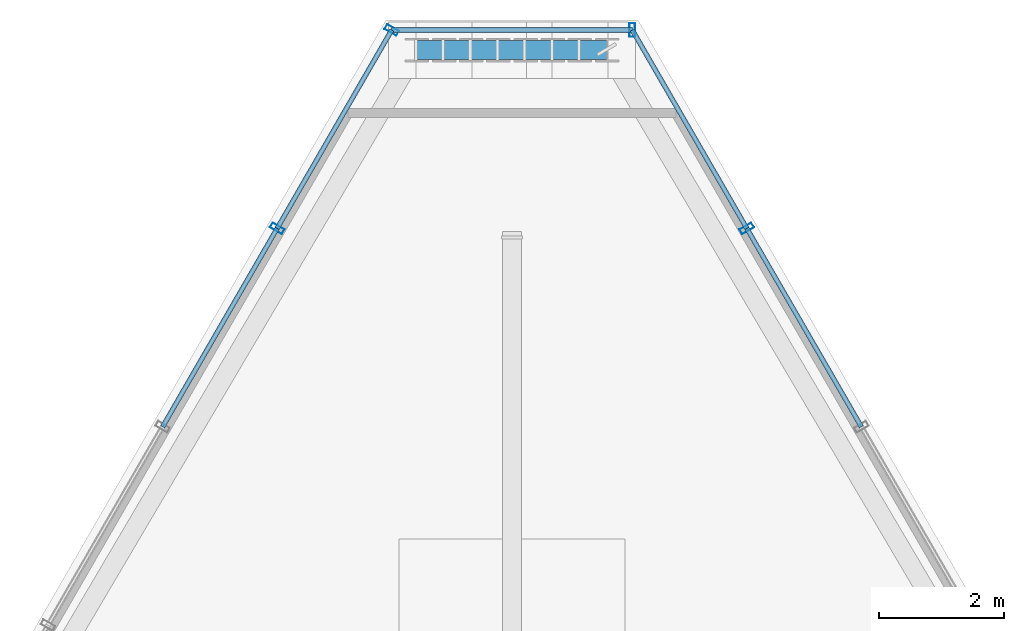
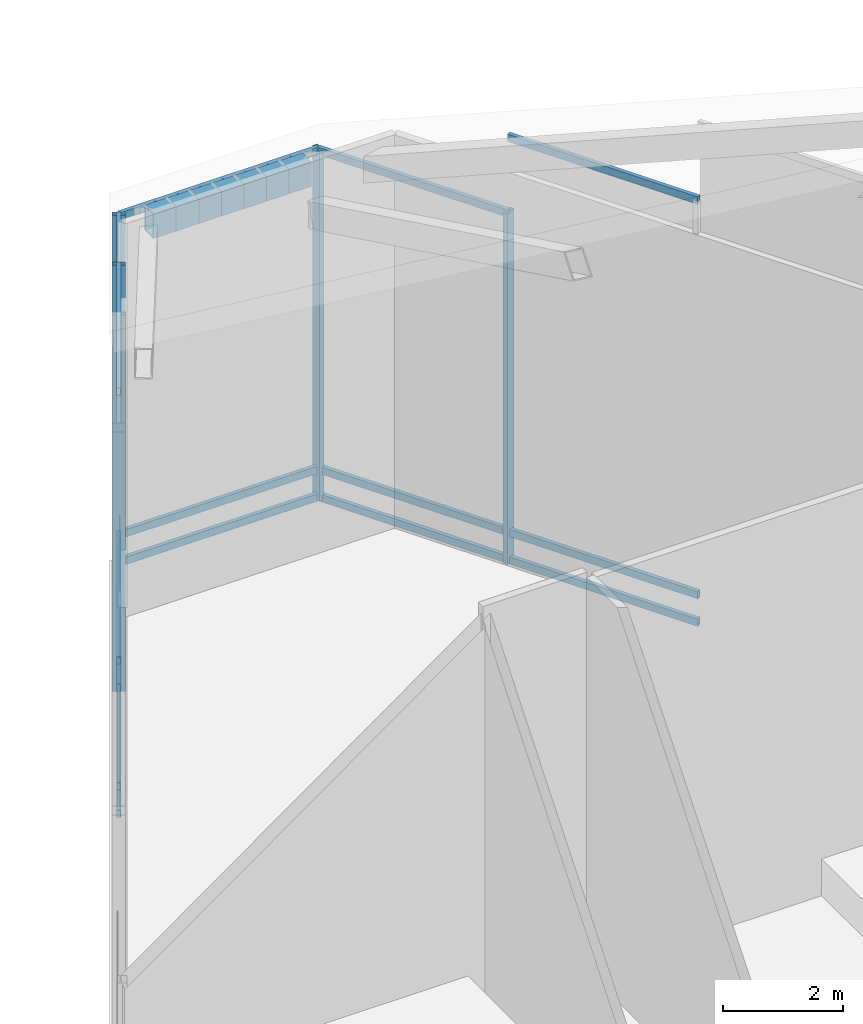
# One storey, part 29 of 36: 26 members, 5 elements without a shape of their own.
"""IFC4 building model written with IfcOpenShell, lengths in metres."""

from ifc_helpers import new_model, si_unit, direction, frame, origin, origin_2d, place, context, subcontext, project, spatial, hollow_rectangle, extrude, material, layer, layer_set, material_profile, profile_set, type_object, element, aggregate, save


model = new_model("IFC4")

# Units and contexts
model_context = context("Model", 3, precision=1e-05, world=origin(), true_north=direction((0.0, 1.0)))
body_context = subcontext(model_context, "Body", "Model", "MODEL_VIEW")
ifc_project = project(units=[si_unit("LENGTHUNIT", "METRE"), si_unit("AREAUNIT", "SQUARE_METRE"), si_unit("VOLUMEUNIT", "CUBIC_METRE"), si_unit("PLANEANGLEUNIT", "RADIAN"), si_unit("MASSUNIT", "GRAM", prefix="KILO")], contexts=[model_context])

# Site, building, storey
site_placement = place(None, origin())
site = spatial("IfcSite", under=ifc_project, at=site_placement, CompositionType="ELEMENT")
building_placement = place(site_placement, origin())
building = spatial("IfcBuilding", under=site, at=building_placement, Name="Ndaravel Arena Tower", CompositionType="ELEMENT")
storey_placement = place(building_placement, frame((0.0, 0.0, 308.10009765625)))
storey = spatial("IfcBuildingStorey", under=building, at=storey_placement, Name="Roof Crown", CompositionType="ELEMENT", Elevation=308.10009765625)

# Members
ifc_material_1 = material(Name="Steel S355", Category="steel")
ifc_material_profile_1 = material_profile(ifc_material_1, hollow_rectangle(XDim=0.300048828125, YDim=0.5, WallThickness=0.02001953125, at=origin_2d()), Name="RHS 500x300x20")
ifc_profile_set_1 = profile_set([ifc_material_profile_1], Name="Steel S355")
member_type_1 = type_object("IfcMemberType", Name="MEM-CRN-RAFTER", PredefinedType="RAFTER", material=ifc_profile_set_1)
for number, where, z_axis, x_axis, name in (
    (1, (43.518310546875, 43.00537109375, 7.00439453125), (-1.0, 0.0, 0.0), (0.0, -1.0, 0.0), "Crown Eaves Ring Member CER-11"),
    (2, (43.08447265625, 43.00537109375, 7.00439453125), (-1.0, 0.0, 0.0), (0.0, -1.0, 0.0), "Crown Eaves Ring Member CER-12"),
    (3, (42.650634765625, 43.00537109375, 7.00439453125), (-1.0, 0.0, 0.0), (0.0, -1.0, 0.0), "Crown Eaves Ring Member CER-13"),
):
    element("IfcMember", number, at=place(storey_placement, frame(where, z_axis=z_axis, x_axis=x_axis)), inside=storey, type_object=member_type_1, Name=name, PredefinedType="RAFTER", context=body_context, shape_type="SweptSolid", body=[
        extrude(hollow_rectangle(XDim=0.300048828125, YDim=0.5, WallThickness=0.02001953125, at=origin_2d()), origin(), (0.0, 0.0, 1.0), 0.433837890625),
    ])
member_1_placement = place(storey_placement, frame((42.216796875, 43.00537109375, 7.00439453125), z_axis=(-1.0, 0.0, 0.0), x_axis=(0.0, -1.0, 0.0)))
element("IfcMember", 4, at=member_1_placement, inside=storey, type_object=member_type_1, Name="Crown Eaves Ring Member CER-14", PredefinedType="RAFTER", context=body_context, shape_type="SweptSolid", body=[
    extrude(hollow_rectangle(XDim=0.300048828125, YDim=0.5, WallThickness=0.02001953125, at=origin_2d()), origin(), (0.0, 0.0, 1.0), 0.43359375),
])
for number, where, z_axis, x_axis, name in (
    (5, (41.783203125, 43.00537109375, 7.00439453125), (-1.0, 0.0, 0.0), (0.0, -1.0, 0.0), "Crown Eaves Ring Member CER-15"),
    (6, (41.349365234375, 43.00537109375, 7.00439453125), (-1.0, 0.0, 0.0), (0.0, -1.0, 0.0), "Crown Eaves Ring Member CER-16"),
    (7, (40.91552734375, 43.00537109375, 7.00439453125), (-1.0, 0.0, 0.0), (0.0, -1.0, 0.0), "Crown Eaves Ring Member CER-17"),
):
    element("IfcMember", number, at=place(storey_placement, frame(where, z_axis=z_axis, x_axis=x_axis)), inside=storey, type_object=member_type_1, Name=name, PredefinedType="RAFTER", context=body_context, shape_type="SweptSolid", body=[
        extrude(hollow_rectangle(XDim=0.300048828125, YDim=0.5, WallThickness=0.02001953125, at=origin_2d()), origin(), (0.0, 0.0, 1.0), 0.433837890625),
    ])

# Curtain wall, member
ifc_material_2 = material(Name="Aluminium", Category="aluminium")
ifc_layer = layer(ifc_material_2, 0.179931640625)
ifc_layer_set = layer_set([ifc_layer], Name="Aluminium")
curtain_wall_type = type_object("IfcCurtainWallType", Name="CW-SYS-06", PredefinedType="NOTDEFINED", material=ifc_layer_set)
curtain_wall_1_placement = place(storey_placement, origin())
curtain_wall_1 = element("IfcCurtainWall", 8, at=curtain_wall_1_placement, inside=storey, type_object=curtain_wall_type, Name="Roof Crown Sloped Crown Lantern Curtain Wall CW-CROWN-E03-S11", PredefinedType="NOTDEFINED")
ifc_material_3 = material(Name="Aluminium", Category="aluminium")
ifc_material_profile_2 = material_profile(ifc_material_3, hollow_rectangle(XDim=0.090087890625, YDim=0.219970703125, WallThickness=0.0048828125, at=origin_2d()), Name="CW MULLION 90x220x5")
ifc_profile_set_2 = profile_set([ifc_material_profile_2], Name="Aluminium")
member_type_2 = type_object("IfcMemberType", Name="MEM-CW-MUL220", PredefinedType="MULLION", material=ifc_profile_set_2)
member_2_placement = place(storey_placement, frame((45.748291015625, 40.158203125, 0.0), z_axis=(0.0, 0.0, 1.0), x_axis=(-0.499984884929, 0.866034130299, 0.0)))
member_2 = element("IfcMember", 9, at=member_2_placement, type_object=member_type_2, Name="CW-CROWN-E03-S11 Mullion 00", PredefinedType="MULLION", context=body_context, shape_type="SweptSolid", body=[
    extrude(hollow_rectangle(XDim=0.090087890625, YDim=0.219970703125, WallThickness=0.0048828125, at=origin_2d()), origin(), (0.0, 0.0, 1.0), 7.118408203125),
])

curtain_wall_2_placement = place(storey_placement, origin())
curtain_wall_2 = element("IfcCurtainWall", 10, at=curtain_wall_2_placement, inside=storey, type_object=curtain_wall_type, Name="Roof Crown Sloped Crown Lantern Curtain Wall CW-CROWN-E04", PredefinedType="NOTDEFINED")
member_3_placement = place(storey_placement, frame((43.919921875, 43.325439453125, 0.0), z_axis=(0.0, 0.0, 1.0), x_axis=(-1.0, 0.0, 0.0)))
member_3 = element("IfcMember", 11, at=member_3_placement, type_object=member_type_2, Name="CW-CROWN-E04 Mullion 00", PredefinedType="MULLION", context=body_context, shape_type="SweptSolid", body=[
    extrude(hollow_rectangle(XDim=0.090087890625, YDim=0.219970703125, WallThickness=0.0048828125, at=origin_2d()), origin(), (0.0, 0.0, 1.0), 7.118408203125),
])

curtain_wall_3_placement = place(storey_placement, origin())
curtain_wall_3 = element("IfcCurtainWall", 12, at=curtain_wall_3_placement, inside=storey, type_object=curtain_wall_type, Name="Roof Crown Sloped Crown Lantern Curtain Wall CW-CROWN-E05-S01", PredefinedType="NOTDEFINED")
member_4_placement = place(storey_placement, frame((40.080078125, 43.325439453125, 0.0), z_axis=(0.0, 0.0, 1.0), x_axis=(-0.499984884929, -0.866034130299, 0.0)))
member_4 = element("IfcMember", 13, at=member_4_placement, type_object=member_type_2, Name="CW-CROWN-E05-S01 Mullion 00", PredefinedType="MULLION", context=body_context, shape_type="SweptSolid", body=[
    extrude(hollow_rectangle(XDim=0.090087890625, YDim=0.219970703125, WallThickness=0.0048828125, at=origin_2d()), origin(), (0.0, 0.0, 1.0), 7.118408203125),
])

curtain_wall_4_placement = place(storey_placement, origin())
curtain_wall_4 = element("IfcCurtainWall", 14, at=curtain_wall_4_placement, inside=storey, type_object=curtain_wall_type, Name="Roof Crown Sloped Crown Lantern Curtain Wall CW-CROWN-E05-S02", PredefinedType="NOTDEFINED")
member_5_placement = place(storey_placement, frame((38.251708984375, 40.158203125, 0.0), z_axis=(0.0, 0.0, 1.0), x_axis=(-0.500015114919, -0.866016677006, 0.0)))
member_5 = element("IfcMember", 15, at=member_5_placement, type_object=member_type_2, Name="CW-CROWN-E05-S02 Mullion 00", PredefinedType="MULLION", context=body_context, shape_type="SweptSolid", body=[
    extrude(hollow_rectangle(XDim=0.090087890625, YDim=0.219970703125, WallThickness=0.0048828125, at=origin_2d()), origin(), (0.0, 0.0, 1.0), 8.663330078125),
])

# Curtain wall, members
curtain_wall_5_placement = place(storey_placement, origin())
curtain_wall_5 = element("IfcCurtainWall", 16, at=curtain_wall_5_placement, inside=storey, type_object=curtain_wall_type, Name="Roof Crown Sloped Crown Lantern Curtain Wall CW-CROWN-E03-S10", PredefinedType="NOTDEFINED")
ifc_material_4 = material(Name="Aluminium", Category="aluminium")
ifc_material_profile_3 = material_profile(ifc_material_4, hollow_rectangle(XDim=0.074951171875, YDim=0.14990234375, WallThickness=0.00390625, at=origin_2d()), Name="CW TRANSOM 75x150x4")
ifc_profile_set_3 = profile_set([ifc_material_profile_3], Name="Aluminium")
member_type_3 = type_object("IfcMemberType", Name="MEM-CW-TRN150", PredefinedType="USERDEFINED", material=ifc_profile_set_3)
member_6_placement = place(storey_placement, frame((47.5771484375, 36.99072265625, 0.039794921875), z_axis=(-0.500022908741, 0.866012177013, 0.0), x_axis=(-0.866012177013, -0.500022908741, 0.0)))
member_6 = element("IfcMember", 17, at=member_6_placement, type_object=member_type_3, Name="CW-CROWN-E03-S10 Transom 01", ObjectType="TRANSOM", PredefinedType="USERDEFINED", context=body_context, shape_type="SweptSolid", body=[
    extrude(hollow_rectangle(XDim=0.074951171875, YDim=0.14990234375, WallThickness=0.00390625, at=origin_2d()), origin(), (0.0, 0.0, 1.0), 3.657470703125),
])
member_7_placement = place(storey_placement, frame((47.5771484375, 36.99072265625, 0.599853515625), z_axis=(-0.500022908741, 0.866012177013, 0.0), x_axis=(-0.866012177013, -0.500022908741, 0.0)))
member_7 = element("IfcMember", 18, at=member_7_placement, type_object=member_type_3, Name="CW-CROWN-E03-S10 Transom 02", ObjectType="TRANSOM", PredefinedType="USERDEFINED", context=body_context, shape_type="SweptSolid", body=[
    extrude(hollow_rectangle(XDim=0.074951171875, YDim=0.14990234375, WallThickness=0.00390625, at=origin_2d()), origin(), (0.0, 0.0, 1.0), 3.657470703125),
])
member_8_placement = place(storey_placement, frame((47.5771484375, 36.99072265625, 8.623291015625), z_axis=(-0.500022908741, 0.866012177013, 0.0), x_axis=(-0.866012177013, -0.500022908741, 0.0)))
member_8 = element("IfcMember", 19, at=member_8_placement, type_object=member_type_3, Name="CW-CROWN-E03-S10 Transom 03", ObjectType="TRANSOM", PredefinedType="USERDEFINED", context=body_context, shape_type="SweptSolid", body=[
    extrude(hollow_rectangle(XDim=0.074951171875, YDim=0.14990234375, WallThickness=0.00390625, at=origin_2d()), origin(), (0.0, 0.0, 1.0), 3.657470703125),
])
aggregate(curtain_wall_5, [member_6, member_7, member_8])

# Member
member_9_placement = place(storey_placement, frame((45.748291015625, 40.158203125, 0.039794921875), z_axis=(-0.499951680908, 0.866053299028, 0.0), x_axis=(-0.866053299028, -0.499951680908, 0.0)))
member_9 = element("IfcMember", 20, at=member_9_placement, type_object=member_type_3, Name="CW-CROWN-E03-S11 Transom 01", ObjectType="TRANSOM", PredefinedType="USERDEFINED", context=body_context, shape_type="SweptSolid", body=[
    extrude(hollow_rectangle(XDim=0.074951171875, YDim=0.14990234375, WallThickness=0.00390625, at=origin_2d()), origin(), (0.0, 0.0, 1.0), 3.656982421875),
])

member_10_placement = place(storey_placement, frame((45.748291015625, 40.158203125, 0.599853515625), z_axis=(-0.499951680908, 0.866053299028, 0.0), x_axis=(-0.866053299028, -0.499951680908, 0.0)))
member_10 = element("IfcMember", 21, at=member_10_placement, type_object=member_type_3, Name="CW-CROWN-E03-S11 Transom 02", ObjectType="TRANSOM", PredefinedType="USERDEFINED", context=body_context, shape_type="SweptSolid", body=[
    extrude(hollow_rectangle(XDim=0.074951171875, YDim=0.14990234375, WallThickness=0.00390625, at=origin_2d()), origin(), (0.0, 0.0, 1.0), 3.656982421875),
])

member_11_placement = place(storey_placement, frame((45.748291015625, 40.158203125, 7.07861328125), z_axis=(-0.499951680908, 0.866053299028, 0.0), x_axis=(-0.866053299028, -0.499951680908, 0.0)))
member_11 = element("IfcMember", 22, at=member_11_placement, type_object=member_type_3, Name="CW-CROWN-E03-S11 Transom 03", ObjectType="TRANSOM", PredefinedType="USERDEFINED", context=body_context, shape_type="SweptSolid", body=[
    extrude(hollow_rectangle(XDim=0.074951171875, YDim=0.14990234375, WallThickness=0.00390625, at=origin_2d()), origin(), (0.0, 0.0, 1.0), 3.656982421875),
])

aggregate(curtain_wall_1, [member_2, member_9, member_10, member_11])

member_12_placement = place(storey_placement, frame((43.919921875, 43.325439453125, 0.039794921875), z_axis=(-1.0, 0.0, 0.0), x_axis=(0.0, -1.0, 0.0)))
member_12 = element("IfcMember", 23, at=member_12_placement, type_object=member_type_3, Name="CW-CROWN-E04 Transom 01", ObjectType="TRANSOM", PredefinedType="USERDEFINED", context=body_context, shape_type="SweptSolid", body=[
    extrude(hollow_rectangle(XDim=0.074951171875, YDim=0.14990234375, WallThickness=0.00390625, at=origin_2d()), origin(), (0.0, 0.0, 1.0), 3.83984375),
])

member_13_placement = place(storey_placement, frame((43.919921875, 43.325439453125, 0.599853515625), z_axis=(-1.0, 0.0, 0.0), x_axis=(0.0, -1.0, 0.0)))
member_13 = element("IfcMember", 24, at=member_13_placement, type_object=member_type_3, Name="CW-CROWN-E04 Transom 02", ObjectType="TRANSOM", PredefinedType="USERDEFINED", context=body_context, shape_type="SweptSolid", body=[
    extrude(hollow_rectangle(XDim=0.074951171875, YDim=0.14990234375, WallThickness=0.00390625, at=origin_2d()), origin(), (0.0, 0.0, 1.0), 3.83984375),
])

member_14_placement = place(storey_placement, frame((43.919921875, 43.325439453125, 7.07861328125), z_axis=(-1.0, 0.0, 0.0), x_axis=(0.0, -1.0, 0.0)))
member_14 = element("IfcMember", 25, at=member_14_placement, type_object=member_type_3, Name="CW-CROWN-E04 Transom 03", ObjectType="TRANSOM", PredefinedType="USERDEFINED", context=body_context, shape_type="SweptSolid", body=[
    extrude(hollow_rectangle(XDim=0.074951171875, YDim=0.14990234375, WallThickness=0.00390625, at=origin_2d()), origin(), (0.0, 0.0, 1.0), 3.83984375),
])

aggregate(curtain_wall_2, [member_3, member_12, member_13, member_14])

member_15_placement = place(storey_placement, frame((40.080078125, 43.325439453125, 0.039794921875), z_axis=(-0.499951680908, -0.866053299028, 0.0), x_axis=(0.866053299028, -0.499951680908, 0.0)))
member_15 = element("IfcMember", 26, at=member_15_placement, type_object=member_type_3, Name="CW-CROWN-E05-S01 Transom 01", ObjectType="TRANSOM", PredefinedType="USERDEFINED", context=body_context, shape_type="SweptSolid", body=[
    extrude(hollow_rectangle(XDim=0.074951171875, YDim=0.14990234375, WallThickness=0.00390625, at=origin_2d()), origin(), (0.0, 0.0, 1.0), 3.656982421875),
])

member_16_placement = place(storey_placement, frame((40.080078125, 43.325439453125, 0.599853515625), z_axis=(-0.499951680908, -0.866053299028, 0.0), x_axis=(0.866053299028, -0.499951680908, 0.0)))
member_16 = element("IfcMember", 27, at=member_16_placement, type_object=member_type_3, Name="CW-CROWN-E05-S01 Transom 02", ObjectType="TRANSOM", PredefinedType="USERDEFINED", context=body_context, shape_type="SweptSolid", body=[
    extrude(hollow_rectangle(XDim=0.074951171875, YDim=0.14990234375, WallThickness=0.00390625, at=origin_2d()), origin(), (0.0, 0.0, 1.0), 3.656982421875),
])

member_17_placement = place(storey_placement, frame((40.080078125, 43.325439453125, 7.07861328125), z_axis=(-0.499951680908, -0.866053299028, 0.0), x_axis=(0.866053299028, -0.499951680908, 0.0)))
member_17 = element("IfcMember", 28, at=member_17_placement, type_object=member_type_3, Name="CW-CROWN-E05-S01 Transom 03", ObjectType="TRANSOM", PredefinedType="USERDEFINED", context=body_context, shape_type="SweptSolid", body=[
    extrude(hollow_rectangle(XDim=0.074951171875, YDim=0.14990234375, WallThickness=0.00390625, at=origin_2d()), origin(), (0.0, 0.0, 1.0), 3.656982421875),
])

aggregate(curtain_wall_3, [member_4, member_15, member_16, member_17])

member_18_placement = place(storey_placement, frame((38.251708984375, 40.158203125, 0.039794921875), z_axis=(-0.500022908741, -0.866012177013, 0.0), x_axis=(0.866012177013, -0.500022908741, 0.0)))
member_18 = element("IfcMember", 29, at=member_18_placement, type_object=member_type_3, Name="CW-CROWN-E05-S02 Transom 01", ObjectType="TRANSOM", PredefinedType="USERDEFINED", context=body_context, shape_type="SweptSolid", body=[
    extrude(hollow_rectangle(XDim=0.074951171875, YDim=0.14990234375, WallThickness=0.00390625, at=origin_2d()), origin(), (0.0, 0.0, 1.0), 3.657470703125),
])

member_19_placement = place(storey_placement, frame((38.251708984375, 40.158203125, 0.599853515625), z_axis=(-0.500022908741, -0.866012177013, 0.0), x_axis=(0.866012177013, -0.500022908741, 0.0)))
member_19 = element("IfcMember", 30, at=member_19_placement, type_object=member_type_3, Name="CW-CROWN-E05-S02 Transom 02", ObjectType="TRANSOM", PredefinedType="USERDEFINED", context=body_context, shape_type="SweptSolid", body=[
    extrude(hollow_rectangle(XDim=0.074951171875, YDim=0.14990234375, WallThickness=0.00390625, at=origin_2d()), origin(), (0.0, 0.0, 1.0), 3.657470703125),
])

member_20_placement = place(storey_placement, frame((38.251708984375, 40.158203125, 8.623291015625), z_axis=(-0.500022908741, -0.866012177013, 0.0), x_axis=(0.866012177013, -0.500022908741, 0.0)))
member_20 = element("IfcMember", 31, at=member_20_placement, type_object=member_type_3, Name="CW-CROWN-E05-S02 Transom 03", ObjectType="TRANSOM", PredefinedType="USERDEFINED", context=body_context, shape_type="SweptSolid", body=[
    extrude(hollow_rectangle(XDim=0.074951171875, YDim=0.14990234375, WallThickness=0.00390625, at=origin_2d()), origin(), (0.0, 0.0, 1.0), 3.657470703125),
])

aggregate(curtain_wall_4, [member_5, member_18, member_19, member_20])

save(model, "model.ifc")
